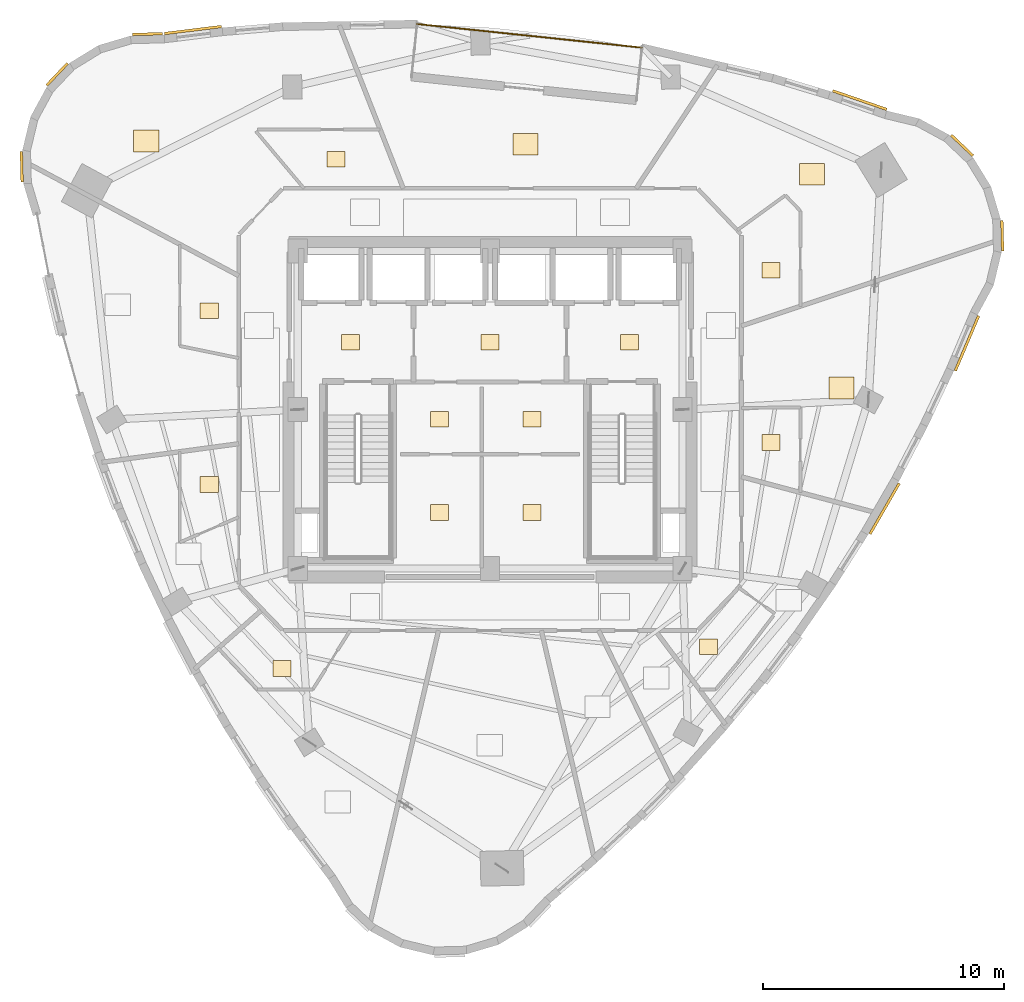
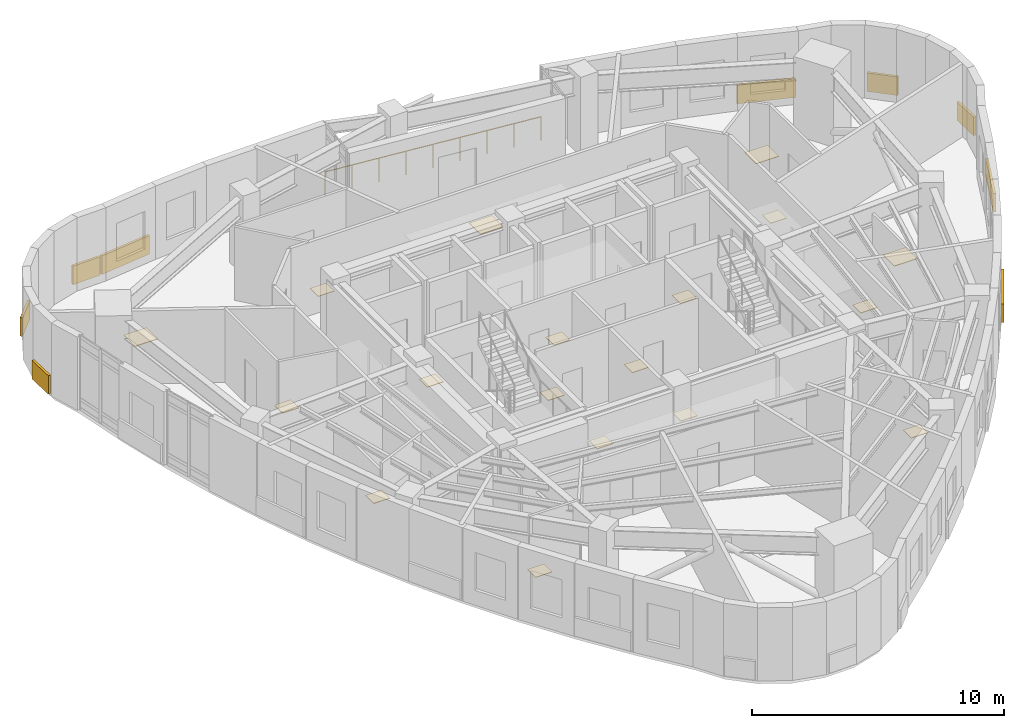
# One storey, part 16 of 16: 27 coverings, 1 railing.
"""IFC4 building model written with IfcOpenShell, lengths in metres."""

from ifc_helpers import new_model, si_unit, direction, frame, origin, origin_2d, place, context, subcontext, project, spatial, rectangle, circle, extrude, material, layer, layer_set, type_object, element, save


model = new_model("IFC4")

# Units and contexts
model_context = context("Model", 3, precision=1e-05, world=origin(), true_north=direction((0.0, 1.0)))
body_context = subcontext(model_context, "Body", "Model", "MODEL_VIEW")
ifc_project = project(units=[si_unit("LENGTHUNIT", "METRE"), si_unit("AREAUNIT", "SQUARE_METRE"), si_unit("VOLUMEUNIT", "CUBIC_METRE"), si_unit("PLANEANGLEUNIT", "RADIAN"), si_unit("MASSUNIT", "GRAM", prefix="KILO")], contexts=[model_context])

# Site, building, storey
site_placement = place(None, origin())
site = spatial("IfcSite", under=ifc_project, at=site_placement, CompositionType="ELEMENT")
building_placement = place(site_placement, origin())
building = spatial("IfcBuilding", under=site, at=building_placement, Name="Ndelora Gate Hotel", CompositionType="ELEMENT")
storey_placement = place(building_placement, frame((0.0, 0.0, 182.75)))
storey = spatial("IfcBuildingStorey", under=building, at=storey_placement, Name="L45", CompositionType="ELEMENT", Elevation=182.75)

# Coverings
ifc_material_1 = material(Name="Terracotta Fired Clay Brick Slip Cladding", Category="masonry")
ifc_layer_1 = layer(ifc_material_1, 0.110107421875)
ifc_layer_set_1 = layer_set([ifc_layer_1], Name="Terracotta Fired Clay Brick Slip Cladding")
covering_type_1 = type_object("IfcCoveringType", Name="COV-CLAD-BRK", PredefinedType="CLADDING", material=ifc_layer_set_1)
for number, where, z_axis, x_axis, name in (
    (1, (-14.240478515625, 15.6162109375, 0.10009765625), (0.0, 0.0, 1.0), (0.999657324976, 0.026176948308, 0.0), "L45 Rounded-Corner Brick Cladding Band 1"),
    (2, (-17.997802734375, 13.943359375, 0.10009765625), (0.0, 0.0, 1.0), (0.688354575694, 0.725374371012, 0.0), "L45 Rounded-Corner Brick Cladding Band 4"),
    (3, (-19.471923828125, 10.103515625, 0.10009765625), (0.0, 0.0, 1.0), (-0.026176948308, 0.999657324976, 0.0), "L45 Rounded-Corner Brick Cladding Band 7"),
):
    element("IfcCovering", number, at=place(storey_placement, frame(where, z_axis=z_axis, x_axis=x_axis)), inside=storey, type_object=covering_type_1, Name=name, PredefinedType="CLADDING", context=body_context, shape_type="SweptSolid", body=[
        extrude(rectangle(XDim=1.257080078125, YDim=0.110107421875, at=origin_2d()), origin(), (0.0, 0.0, 1.0), 0.89990234375),
    ])
covering_1_placement = place(storey_placement, frame((16.402099609375, -4.114990234375, 0.10009765625), z_axis=(0.0, 0.0, 1.0), x_axis=(0.500151142331, 0.865938124132, 0.0)))
element("IfcCovering", 4, at=covering_1_placement, inside=storey, type_object=covering_type_1, Name="L45 Rounded-Corner Brick Cladding Band 37", PredefinedType="CLADDING", context=body_context, shape_type="SweptSolid", body=[
    extrude(rectangle(XDim=2.428955078125, YDim=0.110107421875, at=origin_2d()), origin(), (0.0, 0.0, 1.0), 0.89990234375),
])
covering_2_placement = place(storey_placement, frame((19.8251953125, 2.758544921875, 0.10009765625), z_axis=(0.0, 0.0, 1.0), x_axis=(0.390731128489, 0.920504853452, 0.0)))
element("IfcCovering", 5, at=covering_2_placement, inside=storey, type_object=covering_type_1, Name="L45 Rounded-Corner Brick Cladding Band 40", PredefinedType="CLADDING", context=body_context, shape_type="SweptSolid", body=[
    extrude(rectangle(XDim=2.48193359375, YDim=0.110107421875, at=origin_2d()), origin(), (0.0, 0.0, 1.0), 0.89990234375),
])
for number, where, z_axis, x_axis, name in (
    (6, (21.293701171875, 7.2294921875, 0.10009765625), (0.0, 0.0, 1.0), (-0.026176948308, 0.999657324976, 0.0), "L45 Rounded-Corner Brick Cladding Band 43"),
    (7, (19.620849609375, 10.98681640625, 0.10009765625), (0.0, 0.0, 1.0), (-0.725374371012, 0.688354575694, 0.0), "L45 Rounded-Corner Brick Cladding Band 46"),
):
    element("IfcCovering", number, at=place(storey_placement, frame(where, z_axis=z_axis, x_axis=x_axis)), inside=storey, type_object=covering_type_1, Name=name, PredefinedType="CLADDING", context=body_context, shape_type="SweptSolid", body=[
        extrude(rectangle(XDim=1.257080078125, YDim=0.110107421875, at=origin_2d()), origin(), (0.0, 0.0, 1.0), 0.89990234375),
    ])
for number, where, z_axis, x_axis, name in (
    (8, (15.36474609375, 12.87109375, 0.10009765625), (0.0, 0.0, 1.0), (-0.945291055751, 0.326228171556, 0.0), "L45 Rounded-Corner Brick Cladding Band 49"),
    (9, (-12.35302734375, 15.784423828125, 0.10009765625), (0.0, 0.0, 1.0), (0.992460828919, 0.122562241583, 0.0), "L45 Rounded-Corner Brick Cladding Band 58"),
):
    element("IfcCovering", number, at=place(storey_placement, frame(where, z_axis=z_axis, x_axis=x_axis)), inside=storey, type_object=covering_type_1, Name=name, PredefinedType="CLADDING", context=body_context, shape_type="SweptSolid", body=[
        extrude(rectangle(XDim=2.37890625, YDim=0.110107421875, at=origin_2d()), origin(), (0.0, 0.0, 1.0), 0.89990234375),
    ])
ifc_material_2 = material(Name="Engineered Highland Oak Parquet", Category="wood")
ifc_layer_2 = layer(ifc_material_2, 0.030029296875)
ifc_layer_set_2 = layer_set([ifc_layer_2], Name="Engineered Highland Oak Parquet")
covering_type_2 = type_object("IfcCoveringType", Name="COV-FLR-PARQ", PredefinedType="FLOORING", material=ifc_layer_set_2)
for number, where, z_axis, x_axis, name in (
    (10, (14.604736328125, 0.9033203125, 0.0), (0.0, 0.0, 1.0), (1.0, 0.0, 0.0), "L45 Altitude King Guest Room 4802 Oak Parquet Flooring"),
    (11, (13.38671875, 9.787841796875, 0.0), (0.0, 0.0, 1.0), (1.0, 0.0, 0.0), "L45 Corner Sky Suite 4803 Oak Parquet Flooring"),
    (12, (1.473388671875, 11.032470703125, 0.0), (0.0, 0.0, 1.0), (1.0, 0.0, 0.0), "L45 Sky Garden Tea Dining Room Oak Parquet Flooring"),
    (13, (-14.2919921875, 11.16796875, 0.0), (0.0, 0.0, 1.0), (1.0, 0.0, 0.0), "L45 Grand Ambassador Suite 4804 Oak Parquet Flooring"),
):
    element("IfcCovering", number, at=place(storey_placement, frame(where, z_axis=z_axis, x_axis=x_axis)), inside=storey, type_object=covering_type_2, Name=name, PredefinedType="FLOORING", context=body_context, shape_type="SweptSolid", body=[
        extrude(rectangle(XDim=1.050048828125, YDim=0.89990234375, at=origin_2d()), origin(), (0.0, 0.0, 1.0), 0.030029296875),
    ])
ifc_material_3 = material(Name="Non-Slip Porcelain Wet-Room Tile", Category="ceramic")
ifc_layer_3 = layer(ifc_material_3, 0.02490234375)
ifc_layer_set_3 = layer_set([ifc_layer_3], Name="Non-Slip Porcelain Wet-Room Tile")
covering_type_3 = type_object("IfcCoveringType", Name="COV-FLR-TILE", PredefinedType="FLOORING", material=ifc_layer_set_3)
for number, where, z_axis, x_axis, name in (
    (14, (-5.800048828125, 2.800048828125, 0.0), (0.0, 0.0, 1.0), (1.0, 0.0, 0.0), "L45 Firefighting Lift Lobby West Porcelain Tile Flooring"),
    (15, (5.800048828125, 2.800048828125, 0.0), (0.0, 0.0, 1.0), (1.0, 0.0, 0.0), "L45 Firefighting Lift Lobby East Porcelain Tile Flooring"),
    (16, (0.0, 2.800048828125, 0.0), (0.0, 0.0, 1.0), (1.0, 0.0, 0.0), "L45 Central Passenger Lift Lobby Porcelain Tile Flooring"),
    (17, (-2.10009765625, -0.39990234375, 0.0), (0.0, 0.0, 1.0), (1.0, 0.0, 0.0), "L45 Core Electrical Closet Porcelain Tile Flooring"),
    (18, (1.75, -0.39990234375, 0.0), (0.0, 0.0, 1.0), (1.0, 0.0, 0.0), "L45 Comms Patching Store Porcelain Tile Flooring"),
    (19, (-2.10009765625, -4.27490234375, 0.0), (0.0, 0.0, 1.0), (1.0, 0.0, 0.0), "L45 Valet Laundry Store Porcelain Tile Flooring"),
    (20, (1.75, -4.27490234375, 0.0), (0.0, 0.0, 1.0), (1.0, 0.0, 0.0), "L45 Housekeeping Reserve Store Porcelain Tile Flooring"),
    (21, (9.085693359375, -9.85888671875, 0.0), (0.0, 0.0, 1.0), (1.0, 0.0, 0.0), "L45 En-suite Bathroom 4801 Porcelain Tile Flooring"),
    (22, (11.675048828125, -1.361083984375, 0.0), (0.0, 0.0, 1.0), (1.0, 0.0, 0.0), "L45 En-suite Bathroom 4802 Porcelain Tile Flooring"),
    (23, (11.675048828125, 5.8046875, 0.0), (0.0, 0.0, 1.0), (1.0, 0.0, 0.0), "L45 En-suite Bathroom 4803 Porcelain Tile Flooring"),
    (24, (-6.4130859375, 10.40869140625, 0.0), (0.0, 0.0, 1.0), (1.0, 0.0, 0.0), "L45 En-suite Bathroom 4804 Porcelain Tile Flooring"),
    (25, (-11.675048828125, 4.113037109375, 0.0), (0.0, 0.0, 1.0), (1.0, 0.0, 0.0), "L45 En-suite Bathroom 4805 Porcelain Tile Flooring"),
    (26, (-11.675048828125, -3.110595703125, 0.0), (0.0, 0.0, 1.0), (1.0, 0.0, 0.0), "L45 En-suite Bathroom 4806 Porcelain Tile Flooring"),
    (27, (-8.656494140625, -10.7568359375, 0.0), (0.0, 0.0, 1.0), (1.0, 0.0, 0.0), "L45 En-suite Bathroom 4807 Porcelain Tile Flooring"),
):
    element("IfcCovering", number, at=place(storey_placement, frame(where, z_axis=z_axis, x_axis=x_axis)), inside=storey, type_object=covering_type_3, Name=name, PredefinedType="FLOORING", context=body_context, shape_type="SweptSolid", body=[
        extrude(rectangle(XDim=0.75, YDim=0.64990234375, at=origin_2d()), origin(), (0.0, 0.0, 1.0), 0.02490234375),
    ])

# Railing
ifc_material_4 = material(Name="Laminated Safety Glass and Bronze Top Rail", Category="glass")
ifc_layer_4 = layer(ifc_material_4, 0.070068359375)
ifc_layer_set_4 = layer_set([ifc_layer_4], Name="Laminated Safety Glass and Bronze Top Rail")
railing_type = type_object("IfcRailingType", Name="RL-BAL-1150", PredefinedType="BALUSTRADE", material=ifc_layer_set_4)
railing_placement = place(storey_placement, frame((6.30810546875, 15.052978515625, 0.0)))
element("IfcRailing", 28, at=railing_placement, inside=storey, type_object=railing_type, Name="L45 Sky-Garden Loggia Terrace Balustrade", PredefinedType="BALUSTRADE", context=body_context, shape_type="SweptSolid", body=[
    extrude(circle(Radius=0.02392578125, at=origin_2d()), frame((0.0, 0.0, 1.1357421875), z_axis=(-0.994520954065, 0.104537418785, 0.0), x_axis=(-0.104537418785, -0.994520954065, 0.0)), (0.0, 0.0, 1.0), 9.400146484375),
    extrude(circle(Radius=0.02099609375, at=origin_2d()), origin(), (0.0, 0.0, 1.0), 1.11181640625),
    extrude(circle(Radius=0.02099609375, at=origin_2d()), frame((-1.16845703125, 0.122802734375, 0.0)), (0.0, 0.0, 1.0), 1.11181640625),
    extrude(circle(Radius=0.02099609375, at=origin_2d()), frame((-2.337158203125, 0.24560546875, 0.0)), (0.0, 0.0, 1.0), 1.11181640625),
    extrude(circle(Radius=0.02099609375, at=origin_2d()), frame((-3.505859375, 0.368408203125, 0.0)), (0.0, 0.0, 1.0), 1.11181640625),
    extrude(circle(Radius=0.02099609375, at=origin_2d()), frame((-4.67431640625, 0.4912109375, 0.0)), (0.0, 0.0, 1.0), 1.11181640625),
    extrude(circle(Radius=0.02099609375, at=origin_2d()), frame((-5.8427734375, 0.6142578125, 0.0)), (0.0, 0.0, 1.0), 1.11181640625),
    extrude(circle(Radius=0.02099609375, at=origin_2d()), frame((-7.011474609375, 0.737060546875, 0.0)), (0.0, 0.0, 1.0), 1.11181640625),
    extrude(circle(Radius=0.02099609375, at=origin_2d()), frame((-8.18017578125, 0.85986328125, 0.0)), (0.0, 0.0, 1.0), 1.11181640625),
    extrude(circle(Radius=0.02099609375, at=origin_2d()), frame((-9.3486328125, 0.982666015625, 0.0)), (0.0, 0.0, 1.0), 1.11181640625),
])

save(model, "model.ifc")
